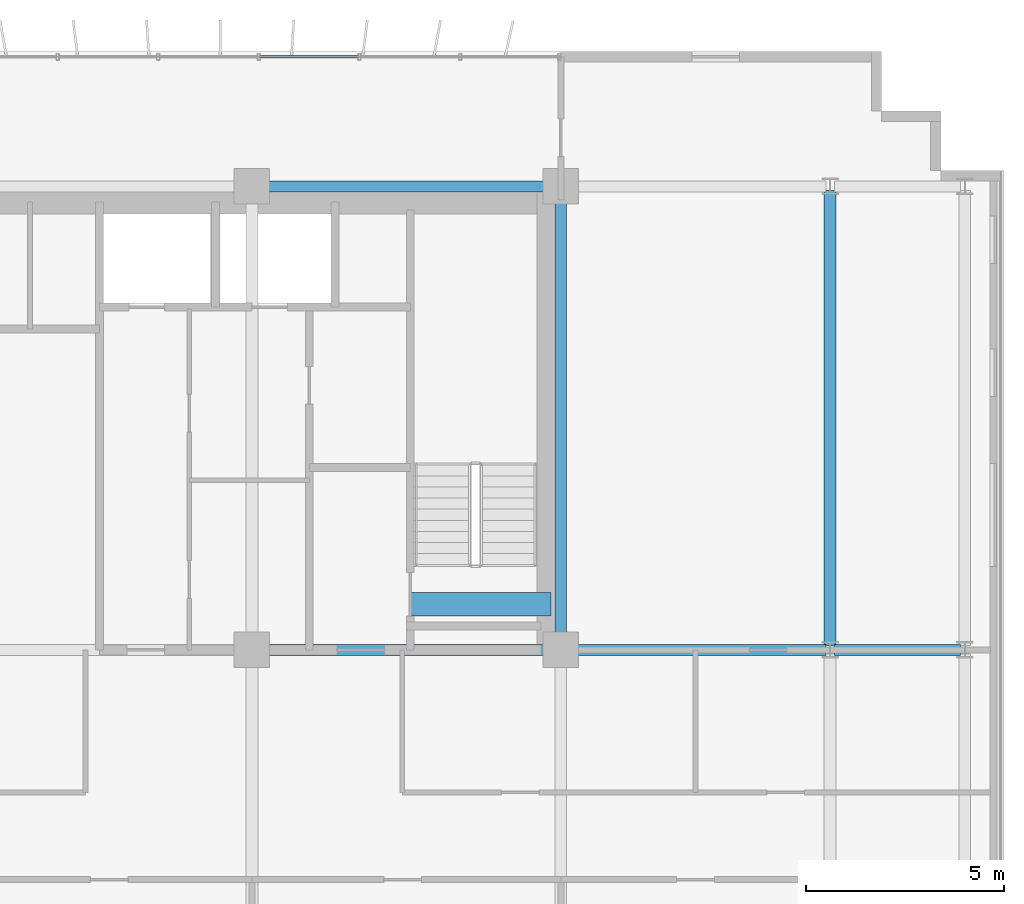
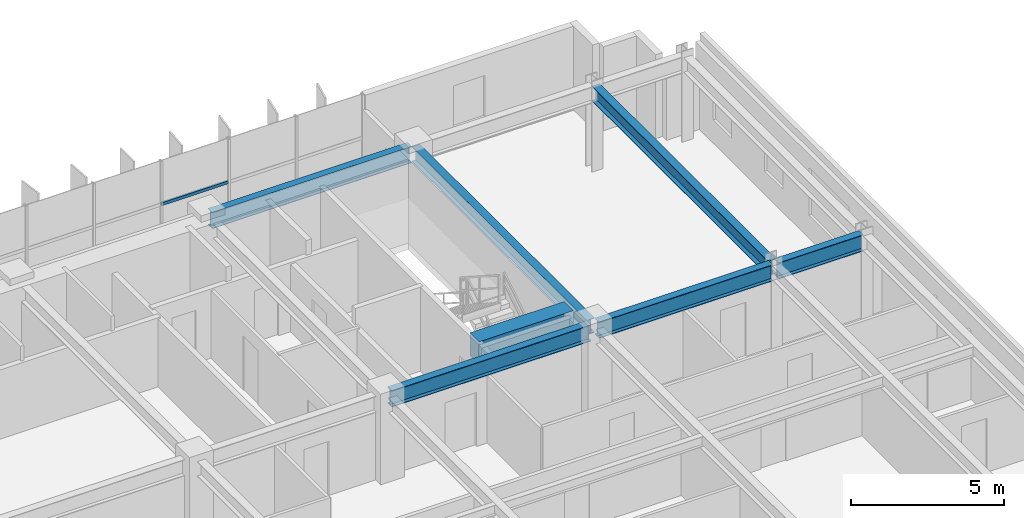
# One storey, part 11 of 21: 7 beams, 1 member, 1 element without a shape of its own.
"""IFC4 building model written with IfcOpenShell, lengths in metres."""

from ifc_helpers import new_model, si_unit, direction, frame, origin, origin_2d, place, context, subcontext, project, spatial, rectangle, hollow_rectangle, i_section, extrude, source, transform, mapped, material, material_profile, profile_set, type_object, element, aggregate, save


model = new_model("IFC4")

# Units and contexts
model_context = context("Model", 3, precision=1e-05, world=origin(), true_north=direction((0.0, 1.0)))
body_context = subcontext(model_context, "Body", "Model", "MODEL_VIEW")
ifc_project = project(units=[si_unit("LENGTHUNIT", "METRE"), si_unit("AREAUNIT", "SQUARE_METRE"), si_unit("VOLUMEUNIT", "CUBIC_METRE"), si_unit("PLANEANGLEUNIT", "RADIAN"), si_unit("MASSUNIT", "GRAM", prefix="KILO")], contexts=[model_context])

# Site, building, storey
site_placement = place(None, origin())
site = spatial("IfcSite", under=ifc_project, at=site_placement, CompositionType="ELEMENT")
building_placement = place(site_placement, origin())
building = spatial("IfcBuilding", under=site, at=building_placement, Name="Trelvane Seafront Commons", CompositionType="ELEMENT")
storey_placement = place(building_placement, frame((0.0, 0.0, 41.5)))
storey = spatial("IfcBuildingStorey", under=building, at=storey_placement, Name="L10", CompositionType="ELEMENT", Elevation=41.5)

# Beams
ifc_material_1 = material(Name="Concrete C60/75", Category="concrete")
ifc_material_profile_1 = material_profile(ifc_material_1, rectangle(XDim=0.60009765625, YDim=0.89990234375, at=origin_2d()), Name="RC-600x900")
ifc_profile_set_1 = profile_set([ifc_material_profile_1], Name="Concrete C60/75")
beam_type_1 = type_object("IfcBeamType", Name="STR-LNT-RC600x900", PredefinedType="LINTEL", material=ifc_profile_set_1)
shared_shape_1 = source(origin(), body_context, "Body", "SweptSolid", [
    extrude(rectangle(XDim=0.60009765625, YDim=0.89990234375, at=origin_2d()), origin(), (0.0, 0.0, 1.0), 3.550048828125),
])
beam_1_placement = place(storey_placement, frame((55.0, 34.550048828125, 2.889892578125), z_axis=(1.0, 0.0, 0.0), x_axis=(0.0, 1.0, 0.0)))
element("IfcBeam", 1, at=beam_1_placement, inside=storey, type_object=beam_type_1, Name="L10 Core Coupling Lintel Beam CB-86", PredefinedType="LINTEL", context=body_context, shape_type="MappedRepresentation", body=[
    mapped(shared_shape_1, transform((0.0, 0.0, 0.0), x_axis=(1.0, 0.0, 0.0), y_axis=(0.0, 1.0, 0.0), z_axis=(0.0, 0.0, 1.0), scale=1.0)),
])
ifc_material_2 = material(Name="Steel SM355 (S355)", Category="steel")
ifc_material_profile_2 = material_profile(ifc_material_2, i_section(OverallWidth=0.280029296875, OverallDepth=0.64990234375, WebThickness=0.012939453125, FlangeThickness=0.02197265625, at=origin_2d()), Name="H-650x280x13x22")
ifc_profile_set_2 = profile_set([ifc_material_profile_2], Name="Steel SM355 (S355)")
beam_type_2 = type_object("IfcBeamType", Name="STR-BM-H650", PredefinedType="BEAM", material=ifc_profile_set_2)
shared_shape_2 = source(origin(), body_context, "Body", "SweptSolid", [
    extrude(i_section(OverallWidth=0.280029296875, OverallDepth=0.64990234375, WebThickness=0.012939453125, FlangeThickness=0.02197265625, at=origin_2d()), origin(), (0.0, 0.0, 1.0), 3.18994140625),
])
beam_2_placement = place(storey_placement, frame((65.705078125, 33.39990234375, 3.014892578125), z_axis=(1.0, 0.0, 0.0), x_axis=(0.0, 1.0, 0.0)))
element("IfcBeam", 2, at=beam_2_placement, inside=storey, type_object=beam_type_2, Name="L10 Primary Girder G-27", PredefinedType="BEAM", context=body_context, shape_type="MappedRepresentation", body=[
    mapped(shared_shape_2, transform((0.0, 0.0, 0.0), x_axis=(1.0, 0.0, 0.0), y_axis=(0.0, 1.0, 0.0), z_axis=(0.0, 0.0, 1.0), scale=1.0)),
])
shared_shape_3 = source(origin(), body_context, "Body", "SweptSolid", [
    extrude(i_section(OverallWidth=0.280029296875, OverallDepth=0.64990234375, WebThickness=0.012939453125, FlangeThickness=0.02197265625, at=origin_2d()), origin(), (0.0, 0.0, 1.0), 6.545166015625),
])
beam_3_placement = place(storey_placement, frame((58.949951171875, 33.39990234375, 3.014892578125), z_axis=(1.0, 0.0, 0.0), x_axis=(0.0, 1.0, 0.0)))
element("IfcBeam", 3, at=beam_3_placement, inside=storey, type_object=beam_type_2, Name="L10 Primary Girder G-26", PredefinedType="BEAM", context=body_context, shape_type="MappedRepresentation", body=[
    mapped(shared_shape_3, transform((0.0, 0.0, 0.0), x_axis=(1.0, 0.0, 0.0), y_axis=(0.0, 1.0, 0.0), z_axis=(0.0, 0.0, 1.0), scale=1.0)),
])
shared_shape_4 = source(origin(), body_context, "Body", "SweptSolid", [
    extrude(i_section(OverallWidth=0.280029296875, OverallDepth=0.64990234375, WebThickness=0.012939453125, FlangeThickness=0.02197265625, at=origin_2d()), origin(), (0.0, 0.0, 1.0), 7.5),
])
for number, where, z_axis, x_axis, name in (
    (4, (51.14990234375, 33.39990234375, 3.014892578125), (1.0, 0.0, 0.0), (0.0, 1.0, 0.0), "L10 Primary Girder G-25"),
    (5, (51.14990234375, 45.10009765625, 3.014892578125), (1.0, 0.0, 0.0), (0.0, 1.0, 0.0), "L10 Primary Girder G-34"),
):
    element("IfcBeam", number, at=place(storey_placement, frame(where, z_axis=z_axis, x_axis=x_axis)), inside=storey, type_object=beam_type_2, Name=name, PredefinedType="BEAM", context=body_context, shape_type="MappedRepresentation", body=[
        mapped(shared_shape_4, transform((0.0, 0.0, 0.0), x_axis=(1.0, 0.0, 0.0), y_axis=(0.0, 1.0, 0.0), z_axis=(0.0, 0.0, 1.0), scale=1.0)),
    ])
ifc_material_profile_3 = material_profile(ifc_material_2, i_section(OverallWidth=0.300048828125, OverallDepth=0.587890625, WebThickness=0.011962890625, FlangeThickness=0.02001953125, at=origin_2d()), Name="H-588x300x12x20")
ifc_profile_set_3 = profile_set([ifc_material_profile_3], Name="Steel SM355 (S355)")
beam_type_3 = type_object("IfcBeamType", Name="STR-BM-H588", PredefinedType="BEAM", material=ifc_profile_set_3)
shared_shape_5 = source(origin(), body_context, "Body", "SweptSolid", [
    extrude(i_section(OverallWidth=0.300048828125, OverallDepth=0.587890625, WebThickness=0.011962890625, FlangeThickness=0.02001953125, at=origin_2d()), origin(), (0.0, 0.0, 1.0), 11.490234375),
])
beam_4_placement = place(storey_placement, frame((65.60009765625, 33.5048828125, 3.0458984375), z_axis=(0.0, 1.0, 0.0), x_axis=(-1.0, 0.0, 0.0)))
element("IfcBeam", 6, at=beam_4_placement, inside=storey, type_object=beam_type_3, Name="L10 Primary Girder G-63", PredefinedType="BEAM", context=body_context, shape_type="MappedRepresentation", body=[
    mapped(shared_shape_5, transform((0.0, 0.0, 0.0), x_axis=(1.0, 0.0, 0.0), y_axis=(0.0, 1.0, 0.0), z_axis=(0.0, 0.0, 1.0), scale=1.0)),
])
shared_shape_6 = source(origin(), body_context, "Body", "SweptSolid", [
    extrude(i_section(OverallWidth=0.300048828125, OverallDepth=0.587890625, WebThickness=0.011962890625, FlangeThickness=0.02001953125, at=origin_2d()), origin(), (0.0, 0.0, 1.0), 11.39990234375),
])
beam_5_placement = place(storey_placement, frame((58.800048828125, 33.550048828125, 3.0458984375), z_axis=(0.0, 1.0, 0.0), x_axis=(-1.0, 0.0, 0.0)))
element("IfcBeam", 7, at=beam_5_placement, inside=storey, type_object=beam_type_3, Name="L10 Primary Girder G-60", PredefinedType="BEAM", context=body_context, shape_type="MappedRepresentation", body=[
    mapped(shared_shape_6, transform((0.0, 0.0, 0.0), x_axis=(1.0, 0.0, 0.0), y_axis=(0.0, 1.0, 0.0), z_axis=(0.0, 0.0, 1.0), scale=1.0)),
])

# Curtain wall, member
ifc_material_3 = material(Name="Anodised pale-silver aluminium", Category="aluminium")
curtain_wall_type = type_object("IfcCurtainWallType", Name="ARCH-CW2-LOWTOWER", PredefinedType="NOTDEFINED", material=ifc_material_3)
curtain_wall_placement = place(storey_placement, origin())
curtain_wall = element("IfcCurtainWall", 8, at=curtain_wall_placement, inside=storey, type_object=curtain_wall_type, Name="CW-L10-0034", PredefinedType="NOTDEFINED")
ifc_material_profile_4 = material_profile(ifc_material_3, hollow_rectangle(XDim=0.070068359375, YDim=0.1201171875, WallThickness=0.00390625, at=origin_2d()), Name="TRAN-70x120x4")
ifc_profile_set_4 = profile_set([ifc_material_profile_4], Name="Anodised pale-silver aluminium")
member_type = type_object("IfcMemberType", Name="ARCH-CW-TRAN-120", PredefinedType="USERDEFINED", material=ifc_profile_set_4)
shared_shape_7 = source(origin(), body_context, "Body", "SweptSolid", [
    extrude(hollow_rectangle(XDim=0.070068359375, YDim=0.1201171875, WallThickness=0.00390625, at=origin_2d()), origin(), (0.0, 0.0, 1.0), 2.51708984375),
])
member_placement = place(storey_placement, frame((51.1884765625, 48.3701171875, 1.60302734375), z_axis=(1.0, 0.0, 0.0), x_axis=(0.0, 1.0, 0.0)))
member = element("IfcMember", 9, at=member_placement, type_object=member_type, Name="CW-L10-0034-T14", ObjectType="TRANSOM", PredefinedType="USERDEFINED", context=body_context, shape_type="MappedRepresentation", body=[
    mapped(shared_shape_7, transform((0.0, 0.0, 0.0), x_axis=(1.0, 0.0, 0.0), y_axis=(0.0, 1.0, 0.0), z_axis=(0.0, 0.0, 1.0), scale=1.0)),
])
aggregate(curtain_wall, [member])

save(model, "model.ifc")
